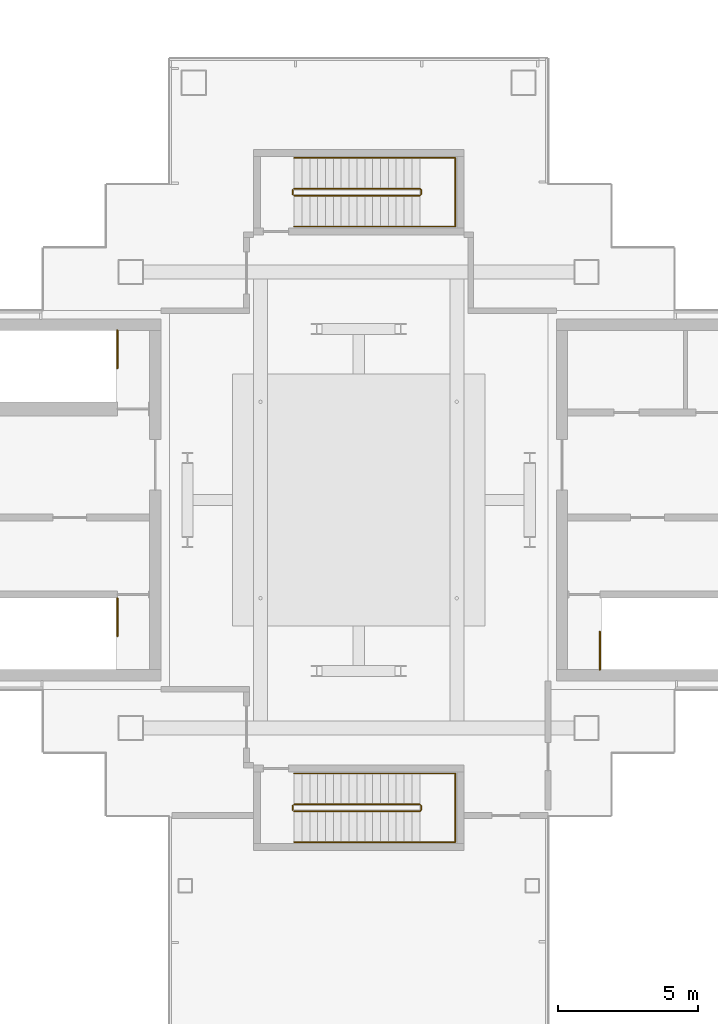
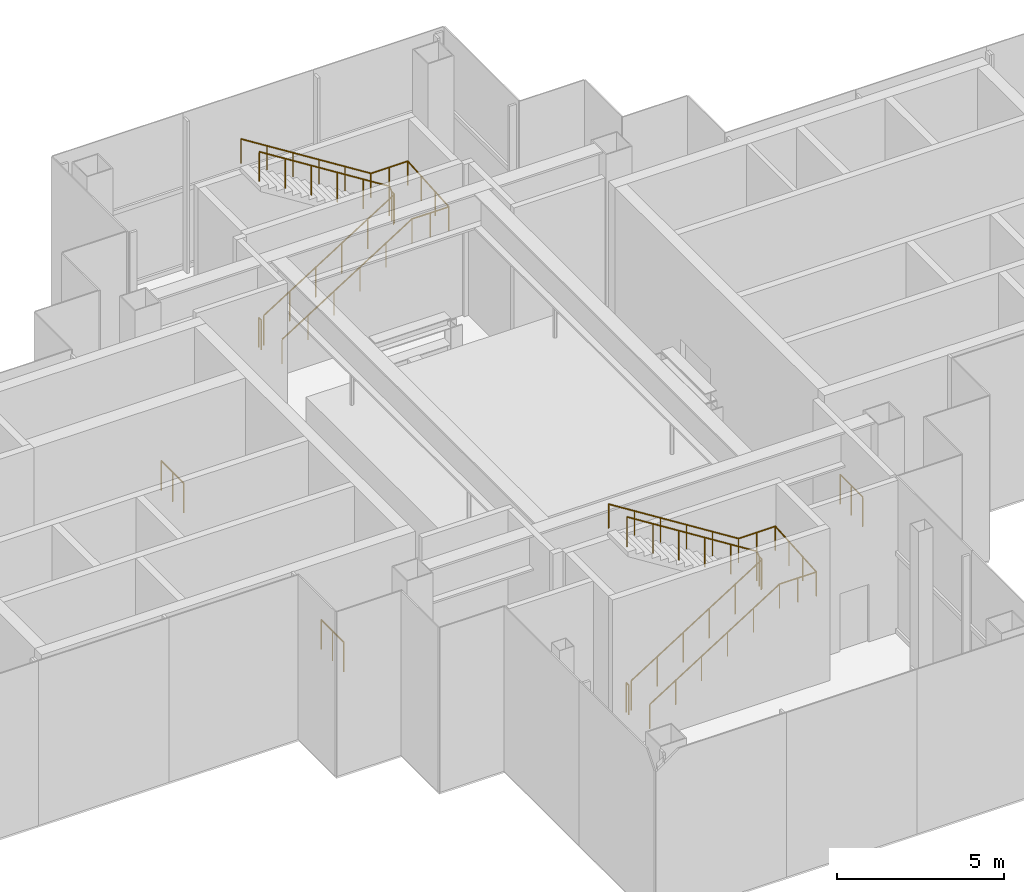
# One storey, part 13 of 17: 9 railings.
"""IFC4 building model written with IfcOpenShell, lengths in metres."""

from ifc_helpers import new_model, si_unit, direction, frame, origin, origin_2d, place, context, subcontext, project, spatial, circle, extrude, material, type_object, element, save


model = new_model("IFC4")

# Units and contexts
model_context = context("Model", 3, precision=1e-05, world=origin(), true_north=direction((0.0, 1.0)))
body_context = subcontext(model_context, "Body", "Model", "MODEL_VIEW")
ifc_project = project(units=[si_unit("LENGTHUNIT", "METRE"), si_unit("AREAUNIT", "SQUARE_METRE"), si_unit("VOLUMEUNIT", "CUBIC_METRE"), si_unit("PLANEANGLEUNIT", "RADIAN"), si_unit("MASSUNIT", "GRAM", prefix="KILO")], contexts=[model_context])

# Site, building, storey
site_placement = place(None, origin())
site = spatial("IfcSite", under=ifc_project, at=site_placement, CompositionType="ELEMENT")
building_placement = place(site_placement, origin())
building = spatial("IfcBuilding", under=site, at=building_placement, Name="Shamsa Quay Exchange Towers", CompositionType="ELEMENT")
storey_placement = place(building_placement, frame((0.0, 0.0, 278.300048828125)))
storey = spatial("IfcBuildingStorey", under=building, at=storey_placement, Name="L67", CompositionType="ELEMENT", Elevation=278.300048828125)

# Railings
ifc_material = material(Name="Stainless steel", Category="steel")
railing_type_1 = type_object("IfcRailingType", Name="STAIR GUARD 1100", PredefinedType="GUARDRAIL", material=ifc_material)
railing_1_placement = place(storey_placement, frame((-25.14990234375, -6.050048828125, 0.0)))
element("IfcRailing", 1, at=railing_1_placement, inside=storey, type_object=railing_type_1, Name="L67 ST1 top well guard 1", PredefinedType="GUARDRAIL", context=body_context, shape_type="SweptSolid", body=[
    extrude(circle(Radius=0.02392578125, at=origin_2d()), frame((0.0, 0.0, 1.076171875), z_axis=(0.0, 1.0, 0.0), x_axis=(-1.0, 0.0, 0.0)), (0.0, 0.0, 1.0), 1.35009765625),
    extrude(circle(Radius=0.02099609375, at=origin_2d()), origin(), (0.0, 0.0, 1.0), 1.052001953125),
    extrude(circle(Radius=0.02099609375, at=origin_2d()), frame((0.0, 0.675048828125, 0.0)), (0.0, 0.0, 1.0), 1.052001953125),
    extrude(circle(Radius=0.02099609375, at=origin_2d()), frame((0.0, 1.35009765625, 0.0)), (0.0, 0.0, 1.0), 1.052001953125),
])
for number, where, name in (
    (2, (-42.35009765625, -3.5, 0.0), "L67 ST2 top well guard 1"),
    (3, (-42.35009765625, 6.050048828125, 0.0), "L67 ST3 top well guard 1"),
):
    element("IfcRailing", number, at=place(storey_placement, frame(where)), inside=storey, type_object=railing_type_1, Name=name, PredefinedType="GUARDRAIL", context=body_context, shape_type="SweptSolid", body=[
        extrude(circle(Radius=0.02392578125, at=origin_2d()), frame((0.0, 0.0, 1.076171875), z_axis=(0.0, -1.0, 0.0), x_axis=(1.0, 0.0, 0.0)), (0.0, 0.0, 1.0), 1.35009765625),
        extrude(circle(Radius=0.02099609375, at=origin_2d()), origin(), (0.0, 0.0, 1.0), 1.052001953125),
        extrude(circle(Radius=0.02099609375, at=origin_2d()), frame((0.0, -0.675048828125, 0.0)), (0.0, 0.0, 1.0), 1.052001953125),
        extrude(circle(Radius=0.02099609375, at=origin_2d()), frame((0.0, -1.35009765625, 0.0)), (0.0, 0.0, 1.0), 1.052001953125),
    ])
railing_2_placement = place(storey_placement, frame((-36.050048828125, 10.85009765625, 0.176513671875)))
element("IfcRailing", 4, at=railing_2_placement, inside=storey, type_object=railing_type_1, Name="L67 RS1 stair guard 1", PredefinedType="GUARDRAIL", context=body_context, shape_type="SweptSolid", body=[
    extrude(circle(Radius=0.02392578125, at=origin_2d()), frame((0.0, 0.0, 1.076171875), z_axis=(0.845997938375, 0.0, 0.533186166611), x_axis=(0.0, 1.0, 0.0)), (0.0, 0.0, 1.0), 5.29541015625),
    extrude(circle(Radius=0.02392578125, at=origin_2d()), frame((4.47998046875, 0.0, 3.8994140625), z_axis=(0.708833529934, 0.705375805398, 0.0), x_axis=(-0.705375805398, 0.708833529934, 0.0)), (0.0, 0.0, 1.0), 0.070556640625),
    extrude(circle(Radius=0.02392578125, at=origin_2d()), frame((4.530029296875, 0.0498046875, 3.8994140625), z_axis=(0.0, 1.0, 0.0), x_axis=(-1.0, 0.0, 0.0)), (0.0, 0.0, 1.0), 0.150146484375),
    extrude(circle(Radius=0.02392578125, at=origin_2d()), frame((4.530029296875, 0.199951171875, 3.8994140625), z_axis=(-0.263171338983, 0.263171338983, 0.928160380902), x_axis=(-0.707106781187, -0.707106781187, 0.0)), (0.0, 0.0, 1.0), 0.190185546875),
    extrude(circle(Radius=0.02392578125, at=origin_2d()), frame((4.47998046875, 0.25, 4.076171875), z_axis=(-0.845997938375, 0.0, 0.533186166611), x_axis=(0.0, -1.0, 0.0)), (0.0, 0.0, 1.0), 5.29541015625),
    extrude(circle(Radius=0.02099609375, at=origin_2d()), origin(), (0.0, 0.0, 1.0), 1.052001953125),
    extrude(circle(Radius=0.02099609375, at=origin_2d()), frame((0.89599609375, 0.0, 0.564697265625)), (0.0, 0.0, 1.0), 1.052001953125),
    extrude(circle(Radius=0.02099609375, at=origin_2d()), frame((1.7919921875, 0.0, 1.12939453125)), (0.0, 0.0, 1.0), 1.052001953125),
    extrude(circle(Radius=0.02099609375, at=origin_2d()), frame((2.68798828125, 0.0, 1.694091796875)), (0.0, 0.0, 1.0), 1.052001953125),
    extrude(circle(Radius=0.02099609375, at=origin_2d()), frame((3.583984375, 0.0, 2.2587890625)), (0.0, 0.0, 1.0), 1.052001953125),
    extrude(circle(Radius=0.02099609375, at=origin_2d()), frame((4.47998046875, 0.0, 2.823486328125)), (0.0, 0.0, 1.0), 1.052001953125),
    extrude(circle(Radius=0.02099609375, at=origin_2d()), frame((4.530029296875, 0.0498046875, 2.823486328125)), (0.0, 0.0, 1.0), 1.052001953125),
    extrude(circle(Radius=0.02099609375, at=origin_2d()), frame((4.530029296875, 0.199951171875, 2.823486328125)), (0.0, 0.0, 1.0), 1.052001953125),
    extrude(circle(Radius=0.02099609375, at=origin_2d()), frame((4.47998046875, 0.25, 3.0)), (0.0, 0.0, 1.0), 1.052001953125),
    extrude(circle(Radius=0.02099609375, at=origin_2d()), frame((3.583984375, 0.25, 3.564697265625)), (0.0, 0.0, 1.0), 1.052001953125),
    extrude(circle(Radius=0.02099609375, at=origin_2d()), frame((2.68798828125, 0.25, 4.12939453125)), (0.0, 0.0, 1.0), 1.052001953125),
    extrude(circle(Radius=0.02099609375, at=origin_2d()), frame((1.7919921875, 0.25, 4.694091796875)), (0.0, 0.0, 1.0), 1.052001953125),
    extrude(circle(Radius=0.02099609375, at=origin_2d()), frame((0.89599609375, 0.25, 5.2587890625)), (0.0, 0.0, 1.0), 1.052001953125),
    extrude(circle(Radius=0.02099609375, at=origin_2d()), frame((0.0, 0.25, 5.823486328125)), (0.0, 0.0, 1.0), 1.052001953125),
])
railing_3_placement = place(storey_placement, frame((-36.10009765625, 10.89990234375, 0.0)))
element("IfcRailing", 5, at=railing_3_placement, inside=storey, type_object=railing_type_1, Name="L67 RS1 stair guard 2", PredefinedType="GUARDRAIL", context=body_context, shape_type="SweptSolid", body=[
    extrude(circle(Radius=0.02392578125, at=origin_2d()), frame((0.0, 0.0, 1.076171875), z_axis=(0.0, 1.0, 0.0), x_axis=(-1.0, 0.0, 0.0)), (0.0, 0.0, 1.0), 0.150146484375),
    extrude(circle(Radius=0.02099609375, at=origin_2d()), origin(), (0.0, 0.0, 1.0), 1.052001953125),
    extrude(circle(Radius=0.02099609375, at=origin_2d()), frame((0.0, 0.150146484375, 0.0)), (0.0, 0.0, 1.0), 1.052001953125),
])
railing_4_placement = place(storey_placement, frame((-36.050048828125, -11.10009765625, 0.176513671875)))
element("IfcRailing", 6, at=railing_4_placement, inside=storey, type_object=railing_type_1, Name="L67 RS2 stair guard 1", PredefinedType="GUARDRAIL", context=body_context, shape_type="SweptSolid", body=[
    extrude(circle(Radius=0.02392578125, at=origin_2d()), frame((0.0, 0.0, 1.076171875), z_axis=(0.845997938375, 0.0, 0.533186166611), x_axis=(0.0, 1.0, 0.0)), (0.0, 0.0, 1.0), 5.29541015625),
    extrude(circle(Radius=0.02392578125, at=origin_2d()), frame((4.47998046875, 0.0, 3.8994140625), z_axis=(0.707106781187, 0.707106781187, 0.0), x_axis=(-0.707106781187, 0.707106781187, 0.0)), (0.0, 0.0, 1.0), 0.07080078125),
    extrude(circle(Radius=0.02392578125, at=origin_2d()), frame((4.530029296875, 0.050048828125, 3.8994140625), z_axis=(0.0, 1.0, 0.0), x_axis=(-1.0, 0.0, 0.0)), (0.0, 0.0, 1.0), 0.150146484375),
    extrude(circle(Radius=0.02392578125, at=origin_2d()), frame((4.530029296875, 0.2001953125, 3.8994140625), z_axis=(-0.263260079301, 0.261975883792, 0.928473352853), x_axis=(-0.705375805398, -0.708833529934, 0.0)), (0.0, 0.0, 1.0), 0.190185546875),
    extrude(circle(Radius=0.02392578125, at=origin_2d()), frame((4.47998046875, 0.25, 4.076171875), z_axis=(-0.845997938375, 0.0, 0.533186166611), x_axis=(0.0, -1.0, 0.0)), (0.0, 0.0, 1.0), 5.29541015625),
    extrude(circle(Radius=0.02099609375, at=origin_2d()), origin(), (0.0, 0.0, 1.0), 1.052001953125),
    extrude(circle(Radius=0.02099609375, at=origin_2d()), frame((0.89599609375, 0.0, 0.564697265625)), (0.0, 0.0, 1.0), 1.052001953125),
    extrude(circle(Radius=0.02099609375, at=origin_2d()), frame((1.7919921875, 0.0, 1.12939453125)), (0.0, 0.0, 1.0), 1.052001953125),
    extrude(circle(Radius=0.02099609375, at=origin_2d()), frame((2.68798828125, 0.0, 1.694091796875)), (0.0, 0.0, 1.0), 1.052001953125),
    extrude(circle(Radius=0.02099609375, at=origin_2d()), frame((3.583984375, 0.0, 2.2587890625)), (0.0, 0.0, 1.0), 1.052001953125),
    extrude(circle(Radius=0.02099609375, at=origin_2d()), frame((4.47998046875, 0.0, 2.823486328125)), (0.0, 0.0, 1.0), 1.052001953125),
    extrude(circle(Radius=0.02099609375, at=origin_2d()), frame((4.530029296875, 0.050048828125, 2.823486328125)), (0.0, 0.0, 1.0), 1.052001953125),
    extrude(circle(Radius=0.02099609375, at=origin_2d()), frame((4.530029296875, 0.2001953125, 2.823486328125)), (0.0, 0.0, 1.0), 1.052001953125),
    extrude(circle(Radius=0.02099609375, at=origin_2d()), frame((4.47998046875, 0.25, 3.0)), (0.0, 0.0, 1.0), 1.052001953125),
    extrude(circle(Radius=0.02099609375, at=origin_2d()), frame((3.583984375, 0.25, 3.564697265625)), (0.0, 0.0, 1.0), 1.052001953125),
    extrude(circle(Radius=0.02099609375, at=origin_2d()), frame((2.68798828125, 0.25, 4.12939453125)), (0.0, 0.0, 1.0), 1.052001953125),
    extrude(circle(Radius=0.02099609375, at=origin_2d()), frame((1.7919921875, 0.25, 4.694091796875)), (0.0, 0.0, 1.0), 1.052001953125),
    extrude(circle(Radius=0.02099609375, at=origin_2d()), frame((0.89599609375, 0.25, 5.2587890625)), (0.0, 0.0, 1.0), 1.052001953125),
    extrude(circle(Radius=0.02099609375, at=origin_2d()), frame((0.0, 0.25, 5.823486328125)), (0.0, 0.0, 1.0), 1.052001953125),
])
railing_5_placement = place(storey_placement, frame((-36.10009765625, -11.050048828125, 0.0)))
element("IfcRailing", 7, at=railing_5_placement, inside=storey, type_object=railing_type_1, Name="L67 RS2 stair guard 2", PredefinedType="GUARDRAIL", context=body_context, shape_type="SweptSolid", body=[
    extrude(circle(Radius=0.02392578125, at=origin_2d()), frame((0.0, 0.0, 1.076171875), z_axis=(0.0, 1.0, 0.0), x_axis=(-1.0, 0.0, 0.0)), (0.0, 0.0, 1.0), 0.150146484375),
    extrude(circle(Radius=0.02099609375, at=origin_2d()), origin(), (0.0, 0.0, 1.0), 1.052001953125),
    extrude(circle(Radius=0.02099609375, at=origin_2d()), frame((0.0, 0.150146484375, 0.0)), (0.0, 0.0, 1.0), 1.052001953125),
])
railing_type_2 = type_object("IfcRailingType", Name="STAIR HANDRAIL 900", PredefinedType="HANDRAIL", material=ifc_material)
railing_6_placement = place(storey_placement, frame((-36.050048828125, 9.75, 0.176513671875)))
element("IfcRailing", 8, at=railing_6_placement, inside=storey, type_object=railing_type_2, Name="L67 RS1 stair handrail 1", PredefinedType="HANDRAIL", context=body_context, shape_type="SweptSolid", body=[
    extrude(circle(Radius=0.02392578125, at=origin_2d()), frame((0.0, 0.0, 0.8759765625), z_axis=(0.845997938375, 0.0, 0.533186166611), x_axis=(0.0, 1.0, 0.0)), (0.0, 0.0, 1.0), 5.29541015625),
    extrude(circle(Radius=0.02392578125, at=origin_2d()), frame((4.47998046875, 0.0, 3.69921875), z_axis=(1.0, 0.0, 0.0), x_axis=(0.0, 1.0, 0.0)), (0.0, 0.0, 1.0), 1.27001953125),
    extrude(circle(Radius=0.02392578125, at=origin_2d()), frame((5.75, 0.0, 3.69921875), z_axis=(0.0, 0.997414615901, 0.071861561265), x_axis=(-1.0, 0.0, 0.0)), (0.0, 0.0, 1.0), 2.456298828125),
    extrude(circle(Radius=0.02392578125, at=origin_2d()), frame((5.75, 2.449951171875, 3.8759765625), z_axis=(-1.0, 0.0, 0.0), x_axis=(0.0, -1.0, 0.0)), (0.0, 0.0, 1.0), 1.27001953125),
    extrude(circle(Radius=0.02392578125, at=origin_2d()), frame((4.47998046875, 2.449951171875, 3.8759765625), z_axis=(-0.845997938375, 0.0, 0.533186166611), x_axis=(0.0, -1.0, 0.0)), (0.0, 0.0, 1.0), 5.29541015625),
    extrude(circle(Radius=0.02099609375, at=origin_2d()), origin(), (0.0, 0.0, 1.0), 0.851806640625),
    extrude(circle(Radius=0.02099609375, at=origin_2d()), frame((0.89599609375, 0.0, 0.564697265625)), (0.0, 0.0, 1.0), 0.851806640625),
    extrude(circle(Radius=0.02099609375, at=origin_2d()), frame((1.7919921875, 0.0, 1.12939453125)), (0.0, 0.0, 1.0), 0.851806640625),
    extrude(circle(Radius=0.02099609375, at=origin_2d()), frame((2.68798828125, 0.0, 1.694091796875)), (0.0, 0.0, 1.0), 0.851806640625),
    extrude(circle(Radius=0.02099609375, at=origin_2d()), frame((3.583984375, 0.0, 2.2587890625)), (0.0, 0.0, 1.0), 0.851806640625),
    extrude(circle(Radius=0.02099609375, at=origin_2d()), frame((4.47998046875, 0.0, 2.823486328125)), (0.0, 0.0, 1.0), 0.851806640625),
    extrude(circle(Radius=0.02099609375, at=origin_2d()), frame((5.114990234375, 0.0, 2.823486328125)), (0.0, 0.0, 1.0), 0.851806640625),
    extrude(circle(Radius=0.02099609375, at=origin_2d()), frame((5.75, 0.0, 2.823486328125)), (0.0, 0.0, 1.0), 0.851806640625),
    extrude(circle(Radius=0.02099609375, at=origin_2d()), frame((5.75, 0.816650390625, 2.88232421875)), (0.0, 0.0, 1.0), 0.851806640625),
    extrude(circle(Radius=0.02099609375, at=origin_2d()), frame((5.75, 1.63330078125, 2.941162109375)), (0.0, 0.0, 1.0), 0.851806640625),
    extrude(circle(Radius=0.02099609375, at=origin_2d()), frame((5.75, 2.449951171875, 3.0)), (0.0, 0.0, 1.0), 0.851806640625),
    extrude(circle(Radius=0.02099609375, at=origin_2d()), frame((5.114990234375, 2.449951171875, 3.0)), (0.0, 0.0, 1.0), 0.851806640625),
    extrude(circle(Radius=0.02099609375, at=origin_2d()), frame((4.47998046875, 2.449951171875, 3.0)), (0.0, 0.0, 1.0), 0.851806640625),
    extrude(circle(Radius=0.02099609375, at=origin_2d()), frame((3.583984375, 2.449951171875, 3.564697265625)), (0.0, 0.0, 1.0), 0.851806640625),
    extrude(circle(Radius=0.02099609375, at=origin_2d()), frame((2.68798828125, 2.449951171875, 4.12939453125)), (0.0, 0.0, 1.0), 0.851806640625),
    extrude(circle(Radius=0.02099609375, at=origin_2d()), frame((1.7919921875, 2.449951171875, 4.694091796875)), (0.0, 0.0, 1.0), 0.851806640625),
    extrude(circle(Radius=0.02099609375, at=origin_2d()), frame((0.89599609375, 2.449951171875, 5.2587890625)), (0.0, 0.0, 1.0), 0.851806640625),
    extrude(circle(Radius=0.02099609375, at=origin_2d()), frame((0.0, 2.449951171875, 5.823486328125)), (0.0, 0.0, 1.0), 0.851806640625),
])
railing_7_placement = place(storey_placement, frame((-36.050048828125, -12.199951171875, 0.176513671875)))
element("IfcRailing", 9, at=railing_7_placement, inside=storey, type_object=railing_type_2, Name="L67 RS2 stair handrail 1", PredefinedType="HANDRAIL", context=body_context, shape_type="SweptSolid", body=[
    extrude(circle(Radius=0.02392578125, at=origin_2d()), frame((0.0, 0.0, 0.8759765625), z_axis=(0.845997938375, 0.0, 0.533186166611), x_axis=(0.0, 1.0, 0.0)), (0.0, 0.0, 1.0), 5.29541015625),
    extrude(circle(Radius=0.02392578125, at=origin_2d()), frame((4.47998046875, 0.0, 3.69921875), z_axis=(1.0, 0.0, 0.0), x_axis=(0.0, 1.0, 0.0)), (0.0, 0.0, 1.0), 1.27001953125),
    extrude(circle(Radius=0.02392578125, at=origin_2d()), frame((5.75, 0.0, 3.69921875), z_axis=(0.0, 0.997414615901, 0.071861561265), x_axis=(-1.0, 0.0, 0.0)), (0.0, 0.0, 1.0), 2.456298828125),
    extrude(circle(Radius=0.02392578125, at=origin_2d()), frame((5.75, 2.449951171875, 3.8759765625), z_axis=(-1.0, 0.0, 0.0), x_axis=(0.0, -1.0, 0.0)), (0.0, 0.0, 1.0), 1.27001953125),
    extrude(circle(Radius=0.02392578125, at=origin_2d()), frame((4.47998046875, 2.449951171875, 3.8759765625), z_axis=(-0.845997938375, 0.0, 0.533186166611), x_axis=(0.0, -1.0, 0.0)), (0.0, 0.0, 1.0), 5.29541015625),
    extrude(circle(Radius=0.02099609375, at=origin_2d()), origin(), (0.0, 0.0, 1.0), 0.851806640625),
    extrude(circle(Radius=0.02099609375, at=origin_2d()), frame((0.89599609375, 0.0, 0.564697265625)), (0.0, 0.0, 1.0), 0.851806640625),
    extrude(circle(Radius=0.02099609375, at=origin_2d()), frame((1.7919921875, 0.0, 1.12939453125)), (0.0, 0.0, 1.0), 0.851806640625),
    extrude(circle(Radius=0.02099609375, at=origin_2d()), frame((2.68798828125, 0.0, 1.694091796875)), (0.0, 0.0, 1.0), 0.851806640625),
    extrude(circle(Radius=0.02099609375, at=origin_2d()), frame((3.583984375, 0.0, 2.2587890625)), (0.0, 0.0, 1.0), 0.851806640625),
    extrude(circle(Radius=0.02099609375, at=origin_2d()), frame((4.47998046875, 0.0, 2.823486328125)), (0.0, 0.0, 1.0), 0.851806640625),
    extrude(circle(Radius=0.02099609375, at=origin_2d()), frame((5.114990234375, 0.0, 2.823486328125)), (0.0, 0.0, 1.0), 0.851806640625),
    extrude(circle(Radius=0.02099609375, at=origin_2d()), frame((5.75, 0.0, 2.823486328125)), (0.0, 0.0, 1.0), 0.851806640625),
    extrude(circle(Radius=0.02099609375, at=origin_2d()), frame((5.75, 0.816650390625, 2.88232421875)), (0.0, 0.0, 1.0), 0.851806640625),
    extrude(circle(Radius=0.02099609375, at=origin_2d()), frame((5.75, 1.63330078125, 2.941162109375)), (0.0, 0.0, 1.0), 0.851806640625),
    extrude(circle(Radius=0.02099609375, at=origin_2d()), frame((5.75, 2.449951171875, 3.0)), (0.0, 0.0, 1.0), 0.851806640625),
    extrude(circle(Radius=0.02099609375, at=origin_2d()), frame((5.114990234375, 2.449951171875, 3.0)), (0.0, 0.0, 1.0), 0.851806640625),
    extrude(circle(Radius=0.02099609375, at=origin_2d()), frame((4.47998046875, 2.449951171875, 3.0)), (0.0, 0.0, 1.0), 0.851806640625),
    extrude(circle(Radius=0.02099609375, at=origin_2d()), frame((3.583984375, 2.449951171875, 3.564697265625)), (0.0, 0.0, 1.0), 0.851806640625),
    extrude(circle(Radius=0.02099609375, at=origin_2d()), frame((2.68798828125, 2.449951171875, 4.12939453125)), (0.0, 0.0, 1.0), 0.851806640625),
    extrude(circle(Radius=0.02099609375, at=origin_2d()), frame((1.7919921875, 2.449951171875, 4.694091796875)), (0.0, 0.0, 1.0), 0.851806640625),
    extrude(circle(Radius=0.02099609375, at=origin_2d()), frame((0.89599609375, 2.449951171875, 5.2587890625)), (0.0, 0.0, 1.0), 0.851806640625),
    extrude(circle(Radius=0.02099609375, at=origin_2d()), frame((0.0, 2.449951171875, 5.823486328125)), (0.0, 0.0, 1.0), 0.851806640625),
])

save(model, "model.ifc")
